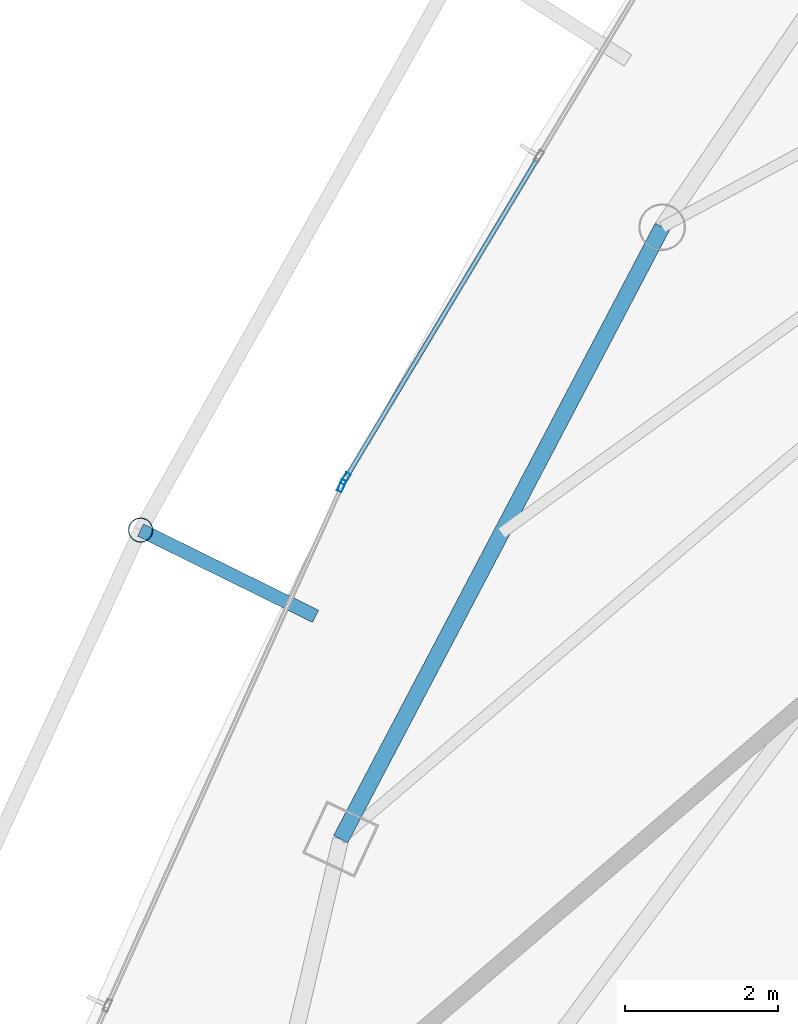
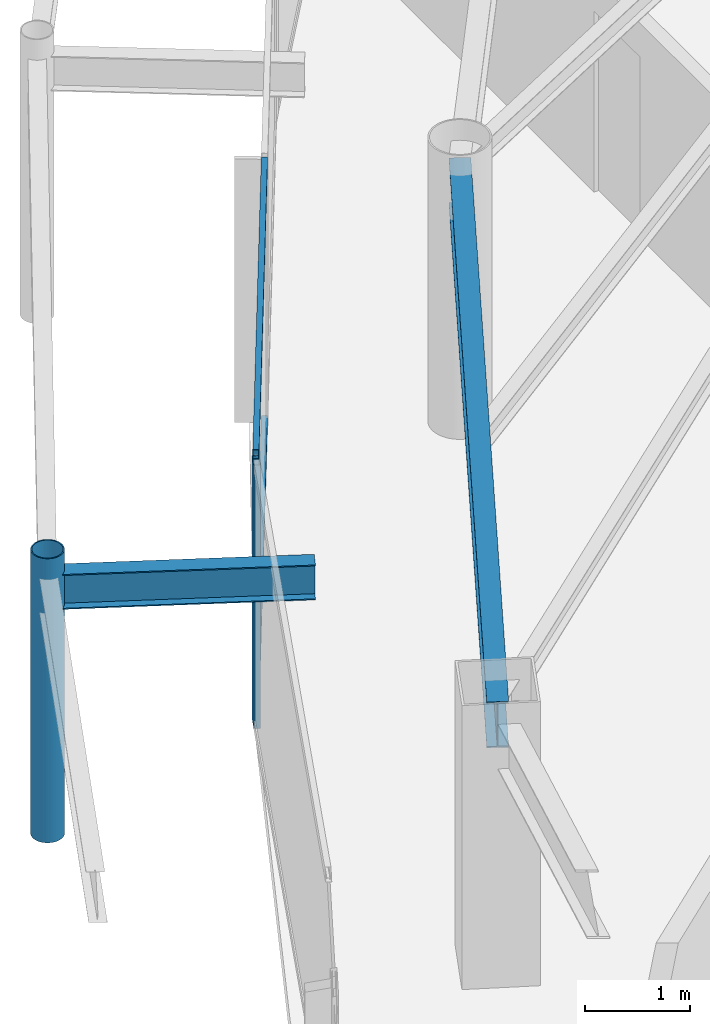
# One storey, part 10 of 30: 5 members, 2 beams, 2 elements without a shape of their own.
"""IFC4 building model written with IfcOpenShell, lengths in metres."""

from ifc_helpers import new_model, si_unit, direction, frame, origin, origin_2d, place, context, subcontext, project, spatial, hollow_rectangle, hollow_circle, i_section, extrude, material, layer, layer_set, material_profile, profile_set, type_object, element, aggregate, save


model = new_model("IFC4")

# Units and contexts
model_context = context("Model", 3, precision=1e-05, world=origin(), true_north=direction((0.0, 1.0)))
body_context = subcontext(model_context, "Body", "Model", "MODEL_VIEW")
ifc_project = project(units=[si_unit("LENGTHUNIT", "METRE"), si_unit("AREAUNIT", "SQUARE_METRE"), si_unit("VOLUMEUNIT", "CUBIC_METRE"), si_unit("PLANEANGLEUNIT", "RADIAN"), si_unit("MASSUNIT", "GRAM", prefix="KILO")], contexts=[model_context])

# Site, building, storey
site_placement = place(None, origin())
site = spatial("IfcSite", under=ifc_project, at=site_placement, CompositionType="ELEMENT")
building_placement = place(site_placement, origin())
building = spatial("IfcBuilding", under=site, at=building_placement, Name="Orvanel Arch Residences", CompositionType="ELEMENT")
storey_placement = place(building_placement, frame((0.0, 0.0, 229.39990234375)))
storey = spatial("IfcBuildingStorey", under=building, at=storey_placement, Name="L65", CompositionType="ELEMENT", Elevation=229.39990234375)

# Curtain wall, member
ifc_material_1 = material(Name="Bronze-anodised aluminium AA6063-T6", Category="aluminium")
ifc_layer = layer(ifc_material_1, 0.175048828125)
ifc_layer_set = layer_set([ifc_layer], Name="Bronze-anodised aluminium AA6063-T6")
curtain_wall_type = type_object("IfcCurtainWallType", Name="CW4-HI-SYS", PredefinedType="NOTDEFINED", material=ifc_layer_set)
curtain_wall_1_placement = place(storey_placement, origin())
curtain_wall_1 = element("IfcCurtainWall", 1, at=curtain_wall_1_placement, inside=storey, type_object=curtain_wall_type, Name="L65 CW4-HI-SYS Unitised Curtain Wall", PredefinedType="NOTDEFINED")
ifc_material_profile_1 = material_profile(ifc_material_1, hollow_rectangle(XDim=0.06494140625, YDim=0.159912109375, WallThickness=0.00390625, at=origin_2d()), Name="ALU160x65x4")
ifc_profile_set_1 = profile_set([ifc_material_profile_1], Name="Bronze-anodised aluminium AA6063-T6")
member_type_1 = type_object("IfcMemberType", Name="MUL-160x65", PredefinedType="MULLION", material=ifc_profile_set_1)
member_1_placement = place(storey_placement, frame((16.4287109375, 24.352783203125, 0.0), z_axis=(0.0, 0.0, 1.0), x_axis=(0.857528580719, -0.514436325748, 0.0)))
member_1 = element("IfcMember", 2, at=member_1_placement, type_object=member_type_1, Name="CW-S4 mullion 3", PredefinedType="MULLION", context=body_context, shape_type="SweptSolid", body=[
    extrude(hollow_rectangle(XDim=0.06494140625, YDim=0.159912109375, WallThickness=0.00390625, at=origin_2d()), origin(), (0.0, 0.0, 1.0), 3.06005859375),
])

curtain_wall_2_placement = place(storey_placement, origin())
curtain_wall_2 = element("IfcCurtainWall", 3, at=curtain_wall_2_placement, inside=storey, type_object=curtain_wall_type, Name="L65 CW4-HI-SYS Unitised Curtain Wall", PredefinedType="NOTDEFINED")
member_2_placement = place(storey_placement, frame((16.380615234375, 24.26025390625, 0.0), z_axis=(0.0, 0.0, 1.0), x_axis=(0.911577429328, -0.411128435335, 0.0)))
member_2 = element("IfcMember", 4, at=member_2_placement, type_object=member_type_1, Name="CW-S4 mullion 1", PredefinedType="MULLION", context=body_context, shape_type="SweptSolid", body=[
    extrude(hollow_rectangle(XDim=0.06494140625, YDim=0.159912109375, WallThickness=0.00390625, at=origin_2d()), origin(), (0.0, 0.0, 1.0), 3.06005859375),
])
aggregate(curtain_wall_2, [member_2])

# Beams
ifc_material_2 = material(Name="Structural steel AS/NZS 3679.1 Grade 300 (300 MPa)", Category="steel")
ifc_material_profile_2 = material_profile(ifc_material_2, i_section(OverallWidth=0.177978515625, OverallDepth=0.406005859375, WebThickness=0.0078125, FlangeThickness=0.0126953125, at=origin_2d()), Name="410UB59.7")
ifc_profile_set_2 = profile_set([ifc_material_profile_2], Name="Structural steel AS/NZS 3679.1 Grade 300 (300 MPa)")
beam_type_1 = type_object("IfcBeamType", Name="OB-410UB-EXT", PredefinedType="SPANDREL", material=ifc_profile_set_2)
beam_1_placement = place(storey_placement, frame((16.0390625, 22.554931640625, 2.857177734375), z_axis=(-0.897016511405, 0.441997034228, 0.0), x_axis=(-0.441997034228, -0.897016511405, 0.0)))
element("IfcBeam", 5, at=beam_1_placement, inside=storey, type_object=beam_type_1, Name="L65 Outer Frame Radial Tie Beam 03", PredefinedType="SPANDREL", context=body_context, shape_type="SweptSolid", body=[
    extrude(i_section(OverallWidth=0.177978515625, OverallDepth=0.406005859375, WebThickness=0.0078125, FlangeThickness=0.0126953125, at=origin_2d()), origin(), (0.0, 0.0, 1.0), 2.5498046875),
])
ifc_material_profile_3 = material_profile(ifc_material_2, i_section(OverallWidth=0.208984375, OverallDepth=0.532958984375, WebThickness=0.01025390625, FlangeThickness=0.015625, at=origin_2d()), Name="530UB92.4")
ifc_profile_set_3 = profile_set([ifc_material_profile_3], Name="Structural steel AS/NZS 3679.1 Grade 300 (300 MPa)")
beam_type_2 = type_object("IfcBeamType", Name="SP-530UB", PredefinedType="SPANDREL", material=ifc_profile_set_3)
beam_2_placement = place(storey_placement, frame((20.569091796875, 27.64111328125, 2.794189453125), z_axis=(-0.465064762793, -0.885276660942, 0.0), x_axis=(0.885276660942, -0.465064762793, 0.0)))
element("IfcBeam", 6, at=beam_2_placement, inside=storey, type_object=beam_type_2, Name="L65 Perimeter Spandrel Beam 12", PredefinedType="SPANDREL", context=body_context, shape_type="SweptSolid", body=[
    extrude(i_section(OverallWidth=0.208984375, OverallDepth=0.532958984375, WebThickness=0.01025390625, FlangeThickness=0.015625, at=origin_2d()), origin(), (0.0, 0.0, 1.0), 9.03564453125),
])

# Member
ifc_material_3 = material(Name="Structural steel AS/NZS 1163 C350L0 (Grade 350)", Category="steel")
ifc_material_profile_4 = material_profile(ifc_material_3, hollow_circle(Radius=0.162109375, WallThickness=0.0126953125, at=origin_2d()), Name="CHS324x12.7")
ifc_profile_set_4 = profile_set([ifc_material_profile_4], Name="Structural steel AS/NZS 1163 C350L0 (Grade 350)")
member_type_2 = type_object("IfcMemberType", Name="ST-324CHS-EXT", PredefinedType="STRUT", material=ifc_profile_set_4)
member_3_placement = place(storey_placement, frame((13.751953125, 23.681884765625, 0.0), z_axis=(0.0, 0.0, 1.0), x_axis=(1.0, 0.0, 0.0)))
element("IfcMember", 7, at=member_3_placement, inside=storey, type_object=member_type_2, Name="L65 Outer Perimeter Frame Post 03", PredefinedType="STRUT", context=body_context, shape_type="SweptSolid", body=[
    extrude(hollow_circle(Radius=0.162109375, WallThickness=0.0126953125, at=origin_2d()), origin(), (0.0, 0.0, 1.0), 3.300048828125),
])

ifc_material_profile_5 = material_profile(ifc_material_1, hollow_rectangle(XDim=0.06005859375, YDim=0.1201171875, WallThickness=0.00341796875, at=origin_2d()), Name="ALU120x60x3.5")
ifc_profile_set_5 = profile_set([ifc_material_profile_5], Name="Bronze-anodised aluminium AA6063-T6")
member_type_3 = type_object("IfcMemberType", Name="TRN-120x60", PredefinedType="USERDEFINED", material=ifc_profile_set_5)
member_4_placement = place(storey_placement, frame((18.941162109375, 28.541015625, 0.030029296875), z_axis=(-0.514421746216, -0.857537326896, 0.0), x_axis=(0.857537326896, -0.514421746216, 0.0)))
member_4 = element("IfcMember", 8, at=member_4_placement, type_object=member_type_3, Name="CW-S4 transom 2.1", ObjectType="TRANSOM", PredefinedType="USERDEFINED", context=body_context, shape_type="SweptSolid", body=[
    extrude(hollow_rectangle(XDim=0.06005859375, YDim=0.1201171875, WallThickness=0.00341796875, at=origin_2d()), origin(), (0.0, 0.0, 1.0), 4.851318359375),
])

member_5_placement = place(storey_placement, frame((18.941162109375, 28.541015625, 3.030029296875), z_axis=(-0.514421746216, -0.857537326896, 0.0), x_axis=(0.857537326896, -0.514421746216, 0.0)))
member_5 = element("IfcMember", 9, at=member_5_placement, type_object=member_type_3, Name="CW-S4 transom 2.2", ObjectType="TRANSOM", PredefinedType="USERDEFINED", context=body_context, shape_type="SweptSolid", body=[
    extrude(hollow_rectangle(XDim=0.06005859375, YDim=0.1201171875, WallThickness=0.00341796875, at=origin_2d()), origin(), (0.0, 0.0, 1.0), 4.851318359375),
])

aggregate(curtain_wall_1, [member_1, member_4, member_5])

save(model, "model.ifc")
